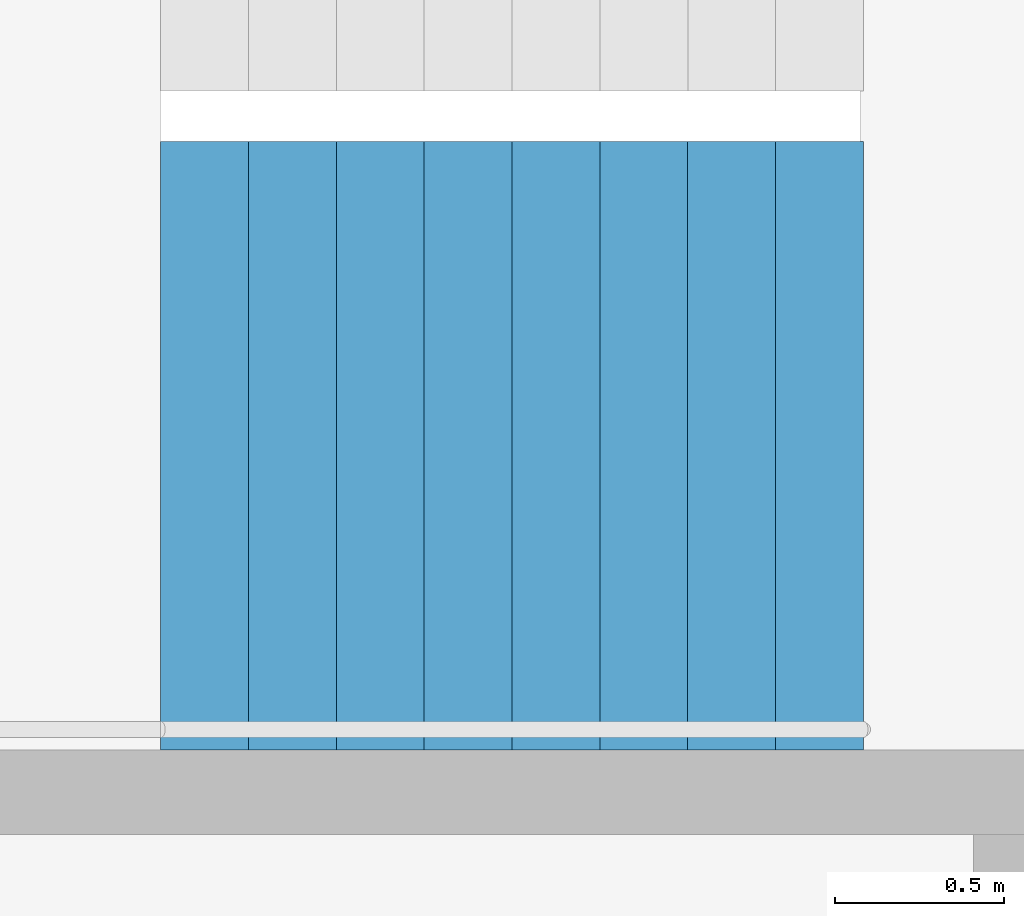
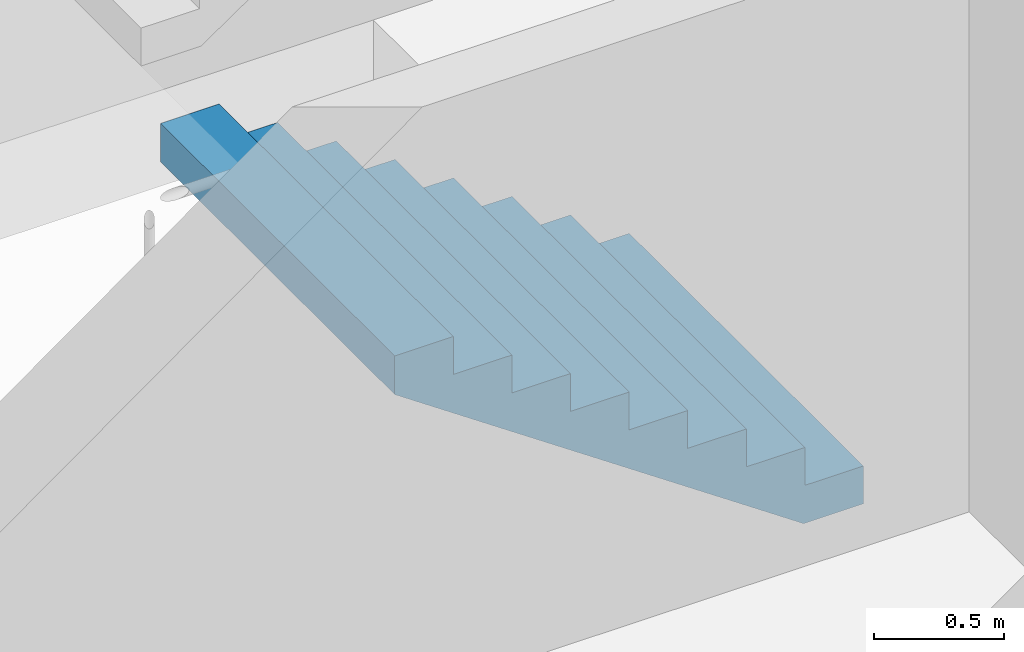
# One storey, part 24 of 26: 1 stair flight, 1 element without a shape of its own.
"""IFC4 building model written with IfcOpenShell, lengths in metres."""

from ifc_helpers import new_model, si_unit, direction, frame, origin, place, context, subcontext, project, spatial, triangles, material, type_object, element, aggregate, save


model = new_model("IFC4")

# Units and contexts
model_context = context("Model", 3, precision=1e-05, world=origin(), true_north=direction((0.0, 1.0)))
body_context = subcontext(model_context, "Body", "Model", "MODEL_VIEW")
ifc_project = project(units=[si_unit("LENGTHUNIT", "METRE"), si_unit("AREAUNIT", "SQUARE_METRE"), si_unit("VOLUMEUNIT", "CUBIC_METRE"), si_unit("PLANEANGLEUNIT", "RADIAN"), si_unit("MASSUNIT", "GRAM", prefix="KILO")], contexts=[model_context])

# Site, building, storey
site_placement = place(None, origin())
site = spatial("IfcSite", under=ifc_project, at=site_placement, CompositionType="ELEMENT")
building_placement = place(site_placement, origin())
building = spatial("IfcBuilding", under=site, at=building_placement, Name="Hakoniwa Tower and Hamabe Station Hall", CompositionType="ELEMENT")
storey_placement = place(building_placement, frame((0.0, 0.0, 221.800048828125)))
storey = spatial("IfcBuildingStorey", under=building, at=storey_placement, Name="L63", CompositionType="ELEMENT", Elevation=221.800048828125)

# Stair, stair flight
ifc_material_1 = material(Name="Concrete C40", Category="concrete")
stair_type = type_object("IfcStairType", Name="ESCAPE STAIR 1800", PredefinedType="HALF_TURN_STAIR", material=ifc_material_1)
stair_placement = place(storey_placement, origin())
stair = element("IfcStair", 1, at=stair_placement, inside=storey, type_object=stair_type, Name="Escape stair ST-3 L63", PredefinedType="HALF_TURN_STAIR")
ifc_material_2 = material(Name="Concrete C40", Category="concrete")
stair_flight_type = type_object("IfcStairFlightType", Name="STAIR FLIGHT 1800", PredefinedType="STRAIGHT", material=ifc_material_2)
stair_flight_placement = place(storey_placement, frame((24.39990234375, 4.64990234375, 0.0), z_axis=(0.0, 0.0, 1.0), x_axis=(-1.0, 0.0, 0.0)))
stair_flight = element("IfcStairFlight", 2, at=stair_flight_placement, type_object=stair_flight_type, Name="ST-3 flight 1", NumberOfRisers=9, NumberOfTreads=8, PredefinedType="STRAIGHT", RiserHeight=0.177777778, TreadLength=0.26, context=body_context, shape_type="Tessellation", body=[
    triangles([(0.0, 0.89990234375, 0.0), (0.260009765625, 0.89990234375, 0.0), (0.265625, 0.89990234375, 0.0), (0.52001953125, 0.89990234375, 0.174072265625), (0.780029296875, 0.89990234375, 0.351806640625), (1.0400390625, 0.89990234375, 0.529541015625), (1.300048828125, 0.89990234375, 0.707275390625), (1.56005859375, 0.89990234375, 0.885009765625), (1.820068359375, 0.89990234375, 1.062744140625), (2.080078125, 0.89990234375, 1.24072265625), (2.080078125, 0.89990234375, 1.422119140625), (1.820068359375, 0.89990234375, 1.422119140625), (1.820068359375, 0.89990234375, 1.244384765625), (1.56005859375, 0.89990234375, 1.244384765625), (1.56005859375, 0.89990234375, 1.066650390625), (1.300048828125, 0.89990234375, 1.066650390625), (1.300048828125, 0.89990234375, 0.888916015625), (1.0400390625, 0.89990234375, 0.888916015625), (1.0400390625, 0.89990234375, 0.711181640625), (0.780029296875, 0.89990234375, 0.711181640625), (0.780029296875, 0.89990234375, 0.533447265625), (0.52001953125, 0.89990234375, 0.533447265625), (0.52001953125, 0.89990234375, 0.35546875), (0.265625, 0.89990234375, 0.35546875), (0.260009765625, 0.89990234375, 0.35546875), (0.260009765625, 0.89990234375, 0.177734375), (0.0, 0.89990234375, 0.177734375), (0.0, 0.06005859375, 0.0), (0.260009765625, 0.06005859375, 0.0), (0.265625, 0.06005859375, 0.0), (0.52001953125, 0.06005859375, 0.174072265625), (0.780029296875, 0.06005859375, 0.351806640625), (1.0400390625, 0.06005859375, 0.529541015625), (1.300048828125, 0.06005859375, 0.707275390625), (1.56005859375, 0.06005859375, 0.885009765625), (1.820068359375, 0.06005859375, 1.062744140625), (2.080078125, 0.06005859375, 1.24072265625), (2.080078125, 0.06005859375, 1.422119140625), (1.820068359375, 0.06005859375, 1.422119140625), (1.820068359375, 0.06005859375, 1.244384765625), (1.56005859375, 0.06005859375, 1.244384765625), (1.56005859375, 0.06005859375, 1.066650390625), (1.300048828125, 0.06005859375, 1.066650390625), (1.300048828125, 0.06005859375, 0.888916015625), (1.0400390625, 0.06005859375, 0.888916015625), (1.0400390625, 0.06005859375, 0.711181640625), (0.780029296875, 0.06005859375, 0.711181640625), (0.780029296875, 0.06005859375, 0.533447265625), (0.52001953125, 0.06005859375, 0.533447265625), (0.52001953125, 0.06005859375, 0.35546875), (0.265625, 0.06005859375, 0.35546875), (0.260009765625, 0.06005859375, 0.35546875), (0.260009765625, 0.06005859375, 0.177734375), (0.0, 0.06005859375, 0.177734375), (0.0, 0.04296875, 0.0), (0.260009765625, 0.04296875, 0.0), (0.265625, 0.04296875, 0.0), (0.52001953125, 0.04296875, 0.174072265625), (0.780029296875, 0.04296875, 0.351806640625), (1.0400390625, 0.04296875, 0.529541015625), (1.300048828125, 0.04296875, 0.707275390625), (1.56005859375, 0.04296875, 0.885009765625), (1.820068359375, 0.04296875, 1.062744140625), (2.080078125, 0.04296875, 1.24072265625), (2.080078125, 0.04296875, 1.422119140625), (1.820068359375, 0.04296875, 1.422119140625), (1.820068359375, 0.04296875, 1.244384765625), (1.56005859375, 0.04296875, 1.244384765625), (1.56005859375, 0.04296875, 1.066650390625), (1.300048828125, 0.04296875, 1.066650390625), (1.300048828125, 0.04296875, 0.888916015625), (1.0400390625, 0.04296875, 0.888916015625), (1.0400390625, 0.04296875, 0.711181640625), (0.780029296875, 0.04296875, 0.711181640625), (0.780029296875, 0.04296875, 0.533447265625), (0.52001953125, 0.04296875, 0.533447265625), (0.52001953125, 0.04296875, 0.35546875), (0.265625, 0.04296875, 0.35546875), (0.260009765625, 0.04296875, 0.35546875), (0.260009765625, 0.04296875, 0.177734375), (0.0, 0.04296875, 0.177734375), (0.0, 0.025634765625, 0.0), (0.260009765625, 0.025634765625, 0.0), (0.265625, 0.025634765625, 0.0), (0.52001953125, 0.025634765625, 0.174072265625), (0.780029296875, 0.025634765625, 0.351806640625), (1.0400390625, 0.025634765625, 0.529541015625), (1.300048828125, 0.025634765625, 0.707275390625), (1.56005859375, 0.025634765625, 0.885009765625), (1.820068359375, 0.025634765625, 1.062744140625), (2.080078125, 0.025634765625, 1.24072265625), (2.080078125, 0.025634765625, 1.422119140625), (1.820068359375, 0.025634765625, 1.422119140625), (1.820068359375, 0.025634765625, 1.244384765625), (1.56005859375, 0.025634765625, 1.244384765625), (1.56005859375, 0.025634765625, 1.066650390625), (1.300048828125, 0.025634765625, 1.066650390625), (1.300048828125, 0.025634765625, 0.888916015625), (1.0400390625, 0.025634765625, 0.888916015625), (1.0400390625, 0.025634765625, 0.711181640625), (0.780029296875, 0.025634765625, 0.711181640625), (0.780029296875, 0.025634765625, 0.533447265625), (0.52001953125, 0.025634765625, 0.533447265625), (0.52001953125, 0.025634765625, 0.35546875), (0.265625, 0.025634765625, 0.35546875), (0.260009765625, 0.025634765625, 0.35546875), (0.260009765625, 0.025634765625, 0.177734375), (0.0, 0.025634765625, 0.177734375), (0.0, 0.008544921875, 0.0), (0.260009765625, 0.008544921875, 0.0), (0.265625, 0.008544921875, 0.0), (0.52001953125, 0.008544921875, 0.174072265625), (0.780029296875, 0.008544921875, 0.351806640625), (1.0400390625, 0.008544921875, 0.529541015625), (1.300048828125, 0.008544921875, 0.707275390625), (1.56005859375, 0.008544921875, 0.885009765625), (1.820068359375, 0.008544921875, 1.062744140625), (2.080078125, 0.008544921875, 1.24072265625), (2.080078125, 0.008544921875, 1.422119140625), (1.820068359375, 0.008544921875, 1.422119140625), (1.820068359375, 0.008544921875, 1.244384765625), (1.56005859375, 0.008544921875, 1.244384765625), (1.56005859375, 0.008544921875, 1.066650390625), (1.300048828125, 0.008544921875, 1.066650390625), (1.300048828125, 0.008544921875, 0.888916015625), (1.0400390625, 0.008544921875, 0.888916015625), (1.0400390625, 0.008544921875, 0.711181640625), (0.780029296875, 0.008544921875, 0.711181640625), (0.780029296875, 0.008544921875, 0.533447265625), (0.52001953125, 0.008544921875, 0.533447265625), (0.52001953125, 0.008544921875, 0.35546875), (0.265625, 0.008544921875, 0.35546875), (0.260009765625, 0.008544921875, 0.35546875), (0.260009765625, 0.008544921875, 0.177734375), (0.0, 0.008544921875, 0.177734375), (0.0, -0.008544921875, 0.0), (0.260009765625, -0.008544921875, 0.0), (0.265625, -0.008544921875, 0.0), (0.52001953125, -0.008544921875, 0.174072265625), (0.780029296875, -0.008544921875, 0.351806640625), (1.0400390625, -0.008544921875, 0.529541015625), (1.300048828125, -0.008544921875, 0.707275390625), (1.56005859375, -0.008544921875, 0.885009765625), (1.820068359375, -0.008544921875, 1.062744140625), (2.080078125, -0.008544921875, 1.24072265625), (2.080078125, -0.008544921875, 1.422119140625), (1.820068359375, -0.008544921875, 1.422119140625), (1.820068359375, -0.008544921875, 1.244384765625), (1.56005859375, -0.008544921875, 1.244384765625), (1.56005859375, -0.008544921875, 1.066650390625), (1.300048828125, -0.008544921875, 1.066650390625), (1.300048828125, -0.008544921875, 0.888916015625), (1.0400390625, -0.008544921875, 0.888916015625), (1.0400390625, -0.008544921875, 0.711181640625), (0.780029296875, -0.008544921875, 0.711181640625), (0.780029296875, -0.008544921875, 0.533447265625), (0.52001953125, -0.008544921875, 0.533447265625), (0.52001953125, -0.008544921875, 0.35546875), (0.265625, -0.008544921875, 0.35546875), (0.260009765625, -0.008544921875, 0.35546875), (0.260009765625, -0.008544921875, 0.177734375), (0.0, -0.008544921875, 0.177734375), (0.0, -0.025634765625, 0.0), (0.260009765625, -0.025634765625, 0.0), (0.265625, -0.025634765625, 0.0), (0.52001953125, -0.025634765625, 0.174072265625), (0.780029296875, -0.025634765625, 0.351806640625), (1.0400390625, -0.025634765625, 0.529541015625), (1.300048828125, -0.025634765625, 0.707275390625), (1.56005859375, -0.025634765625, 0.885009765625), (1.820068359375, -0.025634765625, 1.062744140625), (2.080078125, -0.025634765625, 1.24072265625), (2.080078125, -0.025634765625, 1.422119140625), (1.820068359375, -0.025634765625, 1.422119140625), (1.820068359375, -0.025634765625, 1.244384765625), (1.56005859375, -0.025634765625, 1.244384765625), (1.56005859375, -0.025634765625, 1.066650390625), (1.300048828125, -0.025634765625, 1.066650390625), (1.300048828125, -0.025634765625, 0.888916015625), (1.0400390625, -0.025634765625, 0.888916015625), (1.0400390625, -0.025634765625, 0.711181640625), (0.780029296875, -0.025634765625, 0.711181640625), (0.780029296875, -0.025634765625, 0.533447265625), (0.52001953125, -0.025634765625, 0.533447265625), (0.52001953125, -0.025634765625, 0.35546875), (0.265625, -0.025634765625, 0.35546875), (0.260009765625, -0.025634765625, 0.35546875), (0.260009765625, -0.025634765625, 0.177734375), (0.0, -0.025634765625, 0.177734375), (0.0, -0.04296875, 0.0), (0.260009765625, -0.04296875, 0.0), (0.265625, -0.04296875, 0.0), (0.52001953125, -0.04296875, 0.174072265625), (0.780029296875, -0.04296875, 0.351806640625), (1.0400390625, -0.04296875, 0.529541015625), (1.300048828125, -0.04296875, 0.707275390625), (1.56005859375, -0.04296875, 0.885009765625), (1.820068359375, -0.04296875, 1.062744140625), (2.080078125, -0.04296875, 1.24072265625), (2.080078125, -0.04296875, 1.422119140625), (1.820068359375, -0.04296875, 1.422119140625), (1.820068359375, -0.04296875, 1.244384765625), (1.56005859375, -0.04296875, 1.244384765625), (1.56005859375, -0.04296875, 1.066650390625), (1.300048828125, -0.04296875, 1.066650390625), (1.300048828125, -0.04296875, 0.888916015625), (1.0400390625, -0.04296875, 0.888916015625), (1.0400390625, -0.04296875, 0.711181640625), (0.780029296875, -0.04296875, 0.711181640625), (0.780029296875, -0.04296875, 0.533447265625), (0.52001953125, -0.04296875, 0.533447265625), (0.52001953125, -0.04296875, 0.35546875), (0.265625, -0.04296875, 0.35546875), (0.260009765625, -0.04296875, 0.35546875), (0.260009765625, -0.04296875, 0.177734375), (0.0, -0.04296875, 0.177734375), (0.0, -0.06005859375, 0.0), (0.260009765625, -0.06005859375, 0.0), (0.265625, -0.06005859375, 0.0), (0.52001953125, -0.06005859375, 0.174072265625), (0.780029296875, -0.06005859375, 0.351806640625), (1.0400390625, -0.06005859375, 0.529541015625), (1.300048828125, -0.06005859375, 0.707275390625), (1.56005859375, -0.06005859375, 0.885009765625), (1.820068359375, -0.06005859375, 1.062744140625), (2.080078125, -0.06005859375, 1.24072265625), (2.080078125, -0.06005859375, 1.422119140625), (1.820068359375, -0.06005859375, 1.422119140625), (1.820068359375, -0.06005859375, 1.244384765625), (1.56005859375, -0.06005859375, 1.244384765625), (1.56005859375, -0.06005859375, 1.066650390625), (1.300048828125, -0.06005859375, 1.066650390625), (1.300048828125, -0.06005859375, 0.888916015625), (1.0400390625, -0.06005859375, 0.888916015625), (1.0400390625, -0.06005859375, 0.711181640625), (0.780029296875, -0.06005859375, 0.711181640625), (0.780029296875, -0.06005859375, 0.533447265625), (0.52001953125, -0.06005859375, 0.533447265625), (0.52001953125, -0.06005859375, 0.35546875), (0.265625, -0.06005859375, 0.35546875), (0.260009765625, -0.06005859375, 0.35546875), (0.260009765625, -0.06005859375, 0.177734375), (0.0, -0.06005859375, 0.177734375), (0.0, -0.89990234375, 0.0), (0.260009765625, -0.89990234375, 0.0), (0.265625, -0.89990234375, 0.0), (0.52001953125, -0.89990234375, 0.174072265625), (0.780029296875, -0.89990234375, 0.351806640625), (1.0400390625, -0.89990234375, 0.529541015625), (1.300048828125, -0.89990234375, 0.707275390625), (1.56005859375, -0.89990234375, 0.885009765625), (1.820068359375, -0.89990234375, 1.062744140625), (2.080078125, -0.89990234375, 1.24072265625), (2.080078125, -0.89990234375, 1.422119140625), (1.820068359375, -0.89990234375, 1.422119140625), (1.820068359375, -0.89990234375, 1.244384765625), (1.56005859375, -0.89990234375, 1.244384765625), (1.56005859375, -0.89990234375, 1.066650390625), (1.300048828125, -0.89990234375, 1.066650390625), (1.300048828125, -0.89990234375, 0.888916015625), (1.0400390625, -0.89990234375, 0.888916015625), (1.0400390625, -0.89990234375, 0.711181640625), (0.780029296875, -0.89990234375, 0.711181640625), (0.780029296875, -0.89990234375, 0.533447265625), (0.52001953125, -0.89990234375, 0.533447265625), (0.52001953125, -0.89990234375, 0.35546875), (0.265625, -0.89990234375, 0.35546875), (0.260009765625, -0.89990234375, 0.35546875), (0.260009765625, -0.89990234375, 0.177734375), (0.0, -0.89990234375, 0.177734375)], [[2, 27, 26], [245, 269, 270], [2, 1, 27], [245, 270, 244], [3, 25, 24], [246, 267, 268], [3, 26, 25], [246, 268, 269], [3, 2, 26], [246, 269, 245], [4, 24, 23], [247, 266, 267], [4, 3, 24], [247, 267, 246], [5, 22, 21], [248, 264, 265], [5, 23, 22], [248, 265, 266], [5, 4, 23], [248, 266, 247], [6, 20, 19], [249, 262, 263], [6, 21, 20], [249, 263, 264], [6, 5, 21], [249, 264, 248], [7, 18, 17], [250, 260, 261], [7, 19, 18], [250, 261, 262], [7, 6, 19], [250, 262, 249], [8, 16, 15], [251, 258, 259], [8, 17, 16], [251, 259, 260], [8, 7, 17], [251, 260, 250], [9, 14, 13], [252, 256, 257], [9, 15, 14], [252, 257, 258], [9, 8, 15], [252, 258, 251], [10, 12, 11], [253, 254, 255], [10, 13, 12], [253, 255, 256], [10, 9, 13], [253, 256, 252], [1, 2, 29], [1, 29, 28], [28, 29, 56], [28, 56, 55], [55, 56, 83], [55, 83, 82], [82, 83, 110], [82, 110, 109], [109, 110, 137], [109, 137, 136], [136, 137, 164], [136, 164, 163], [163, 164, 191], [163, 191, 190], [190, 191, 218], [190, 218, 217], [217, 218, 245], [217, 245, 244], [2, 3, 30], [2, 30, 29], [29, 30, 57], [29, 57, 56], [56, 57, 84], [56, 84, 83], [83, 84, 111], [83, 111, 110], [110, 111, 138], [110, 138, 137], [137, 138, 165], [137, 165, 164], [164, 165, 192], [164, 192, 191], [191, 192, 219], [191, 219, 218], [218, 219, 246], [218, 246, 245], [3, 4, 31], [3, 31, 30], [30, 31, 58], [30, 58, 57], [57, 58, 85], [57, 85, 84], [84, 85, 112], [84, 112, 111], [111, 112, 139], [111, 139, 138], [138, 139, 166], [138, 166, 165], [165, 166, 193], [165, 193, 192], [192, 193, 220], [192, 220, 219], [219, 220, 247], [219, 247, 246], [4, 5, 32], [4, 32, 31], [31, 32, 59], [31, 59, 58], [58, 59, 86], [58, 86, 85], [85, 86, 113], [85, 113, 112], [112, 113, 140], [112, 140, 139], [139, 140, 167], [139, 167, 166], [166, 167, 194], [166, 194, 193], [193, 194, 221], [193, 221, 220], [220, 221, 248], [220, 248, 247], [5, 6, 33], [5, 33, 32], [32, 33, 60], [32, 60, 59], [59, 60, 87], [59, 87, 86], [86, 87, 114], [86, 114, 113], [113, 114, 141], [113, 141, 140], [140, 141, 168], [140, 168, 167], [167, 168, 195], [167, 195, 194], [194, 195, 222], [194, 222, 221], [221, 222, 249], [221, 249, 248], [6, 7, 34], [6, 34, 33], [33, 34, 61], [33, 61, 60], [60, 61, 88], [60, 88, 87], [87, 88, 115], [87, 115, 114], [114, 115, 142], [114, 142, 141], [141, 142, 169], [141, 169, 168], [168, 169, 196], [168, 196, 195], [195, 196, 223], [195, 223, 222], [222, 223, 250], [222, 250, 249], [7, 8, 35], [7, 35, 34], [34, 35, 62], [34, 62, 61], [61, 62, 89], [61, 89, 88], [88, 89, 116], [88, 116, 115], [115, 116, 143], [115, 143, 142], [142, 143, 170], [142, 170, 169], [169, 170, 197], [169, 197, 196], [196, 197, 224], [196, 224, 223], [223, 224, 251], [223, 251, 250], [8, 9, 36], [8, 36, 35], [35, 36, 63], [35, 63, 62], [62, 63, 90], [62, 90, 89], [89, 90, 117], [89, 117, 116], [116, 117, 144], [116, 144, 143], [143, 144, 171], [143, 171, 170], [170, 171, 198], [170, 198, 197], [197, 198, 225], [197, 225, 224], [224, 225, 252], [224, 252, 251], [9, 10, 37], [9, 37, 36], [36, 37, 64], [36, 64, 63], [63, 64, 91], [63, 91, 90], [90, 91, 118], [90, 118, 117], [117, 118, 145], [117, 145, 144], [144, 145, 172], [144, 172, 171], [171, 172, 199], [171, 199, 198], [198, 199, 226], [198, 226, 225], [225, 226, 253], [225, 253, 252], [10, 11, 38], [10, 38, 37], [37, 38, 65], [37, 65, 64], [64, 65, 92], [64, 92, 91], [91, 92, 119], [91, 119, 118], [118, 119, 146], [118, 146, 145], [145, 146, 173], [145, 173, 172], [172, 173, 200], [172, 200, 199], [199, 200, 227], [199, 227, 226], [226, 227, 254], [226, 254, 253], [11, 12, 39], [11, 39, 38], [38, 39, 66], [38, 66, 65], [65, 66, 93], [65, 93, 92], [92, 93, 120], [92, 120, 119], [119, 120, 147], [119, 147, 146], [146, 147, 174], [146, 174, 173], [173, 174, 201], [173, 201, 200], [200, 201, 228], [200, 228, 227], [227, 228, 255], [227, 255, 254], [12, 13, 40], [12, 40, 39], [39, 40, 67], [39, 67, 66], [66, 67, 94], [66, 94, 93], [93, 94, 121], [93, 121, 120], [120, 121, 148], [120, 148, 147], [147, 148, 175], [147, 175, 174], [174, 175, 202], [174, 202, 201], [201, 202, 229], [201, 229, 228], [228, 229, 256], [228, 256, 255], [13, 14, 41], [13, 41, 40], [40, 41, 68], [40, 68, 67], [67, 68, 95], [67, 95, 94], [94, 95, 122], [94, 122, 121], [121, 122, 149], [121, 149, 148], [148, 149, 176], [148, 176, 175], [175, 176, 203], [175, 203, 202], [202, 203, 230], [202, 230, 229], [229, 230, 257], [229, 257, 256], [14, 15, 42], [14, 42, 41], [41, 42, 69], [41, 69, 68], [68, 69, 96], [68, 96, 95], [95, 96, 123], [95, 123, 122], [122, 123, 150], [122, 150, 149], [149, 150, 177], [149, 177, 176], [176, 177, 204], [176, 204, 203], [203, 204, 231], [203, 231, 230], [230, 231, 258], [230, 258, 257], [15, 16, 43], [15, 43, 42], [42, 43, 70], [42, 70, 69], [69, 70, 97], [69, 97, 96], [96, 97, 124], [96, 124, 123], [123, 124, 151], [123, 151, 150], [150, 151, 178], [150, 178, 177], [177, 178, 205], [177, 205, 204], [204, 205, 232], [204, 232, 231], [231, 232, 259], [231, 259, 258], [16, 17, 44], [16, 44, 43], [43, 44, 71], [43, 71, 70], [70, 71, 98], [70, 98, 97], [97, 98, 125], [97, 125, 124], [124, 125, 152], [124, 152, 151], [151, 152, 179], [151, 179, 178], [178, 179, 206], [178, 206, 205], [205, 206, 233], [205, 233, 232], [232, 233, 260], [232, 260, 259], [17, 18, 45], [17, 45, 44], [44, 45, 72], [44, 72, 71], [71, 72, 99], [71, 99, 98], [98, 99, 126], [98, 126, 125], [125, 126, 153], [125, 153, 152], [152, 153, 180], [152, 180, 179], [179, 180, 207], [179, 207, 206], [206, 207, 234], [206, 234, 233], [233, 234, 261], [233, 261, 260], [18, 19, 46], [18, 46, 45], [45, 46, 73], [45, 73, 72], [72, 73, 100], [72, 100, 99], [99, 100, 127], [99, 127, 126], [126, 127, 154], [126, 154, 153], [153, 154, 181], [153, 181, 180], [180, 181, 208], [180, 208, 207], [207, 208, 235], [207, 235, 234], [234, 235, 262], [234, 262, 261], [19, 20, 47], [19, 47, 46], [46, 47, 74], [46, 74, 73], [73, 74, 101], [73, 101, 100], [100, 101, 128], [100, 128, 127], [127, 128, 155], [127, 155, 154], [154, 155, 182], [154, 182, 181], [181, 182, 209], [181, 209, 208], [208, 209, 236], [208, 236, 235], [235, 236, 263], [235, 263, 262], [20, 21, 48], [20, 48, 47], [47, 48, 75], [47, 75, 74], [74, 75, 102], [74, 102, 101], [101, 102, 129], [101, 129, 128], [128, 129, 156], [128, 156, 155], [155, 156, 183], [155, 183, 182], [182, 183, 210], [182, 210, 209], [209, 210, 237], [209, 237, 236], [236, 237, 264], [236, 264, 263], [21, 22, 49], [21, 49, 48], [48, 49, 76], [48, 76, 75], [75, 76, 103], [75, 103, 102], [102, 103, 130], [102, 130, 129], [129, 130, 157], [129, 157, 156], [156, 157, 184], [156, 184, 183], [183, 184, 211], [183, 211, 210], [210, 211, 238], [210, 238, 237], [237, 238, 265], [237, 265, 264], [22, 23, 50], [22, 50, 49], [49, 50, 77], [49, 77, 76], [76, 77, 104], [76, 104, 103], [103, 104, 131], [103, 131, 130], [130, 131, 158], [130, 158, 157], [157, 158, 185], [157, 185, 184], [184, 185, 212], [184, 212, 211], [211, 212, 239], [211, 239, 238], [238, 239, 266], [238, 266, 265], [23, 24, 51], [23, 51, 50], [50, 51, 78], [50, 78, 77], [77, 78, 105], [77, 105, 104], [104, 105, 132], [104, 132, 131], [131, 132, 159], [131, 159, 158], [158, 159, 186], [158, 186, 185], [185, 186, 213], [185, 213, 212], [212, 213, 240], [212, 240, 239], [239, 240, 267], [239, 267, 266], [24, 25, 52], [24, 52, 51], [51, 52, 79], [51, 79, 78], [78, 79, 106], [78, 106, 105], [105, 106, 133], [105, 133, 132], [132, 133, 160], [132, 160, 159], [159, 160, 187], [159, 187, 186], [186, 187, 214], [186, 214, 213], [213, 214, 241], [213, 241, 240], [240, 241, 268], [240, 268, 267], [25, 26, 53], [25, 53, 52], [52, 53, 80], [52, 80, 79], [79, 80, 107], [79, 107, 106], [106, 107, 134], [106, 134, 133], [133, 134, 161], [133, 161, 160], [160, 161, 188], [160, 188, 187], [187, 188, 215], [187, 215, 214], [214, 215, 242], [214, 242, 241], [241, 242, 269], [241, 269, 268], [26, 27, 54], [26, 54, 53], [53, 54, 81], [53, 81, 80], [80, 81, 108], [80, 108, 107], [107, 108, 135], [107, 135, 134], [134, 135, 162], [134, 162, 161], [161, 162, 189], [161, 189, 188], [188, 189, 216], [188, 216, 215], [215, 216, 243], [215, 243, 242], [242, 243, 270], [242, 270, 269], [27, 1, 28], [27, 28, 54], [54, 28, 55], [54, 55, 81], [81, 55, 82], [81, 82, 108], [108, 82, 109], [108, 109, 135], [135, 109, 136], [135, 136, 162], [162, 136, 163], [162, 163, 189], [189, 163, 190], [189, 190, 216], [216, 190, 217], [216, 217, 243], [243, 217, 244], [243, 244, 270]], closed=True),
])
aggregate(stair, [stair_flight])

save(model, "model.ifc")
